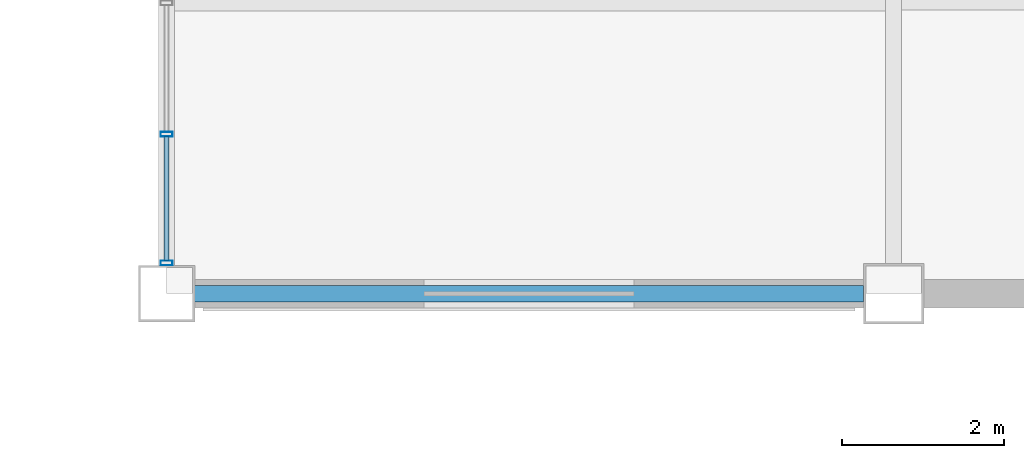
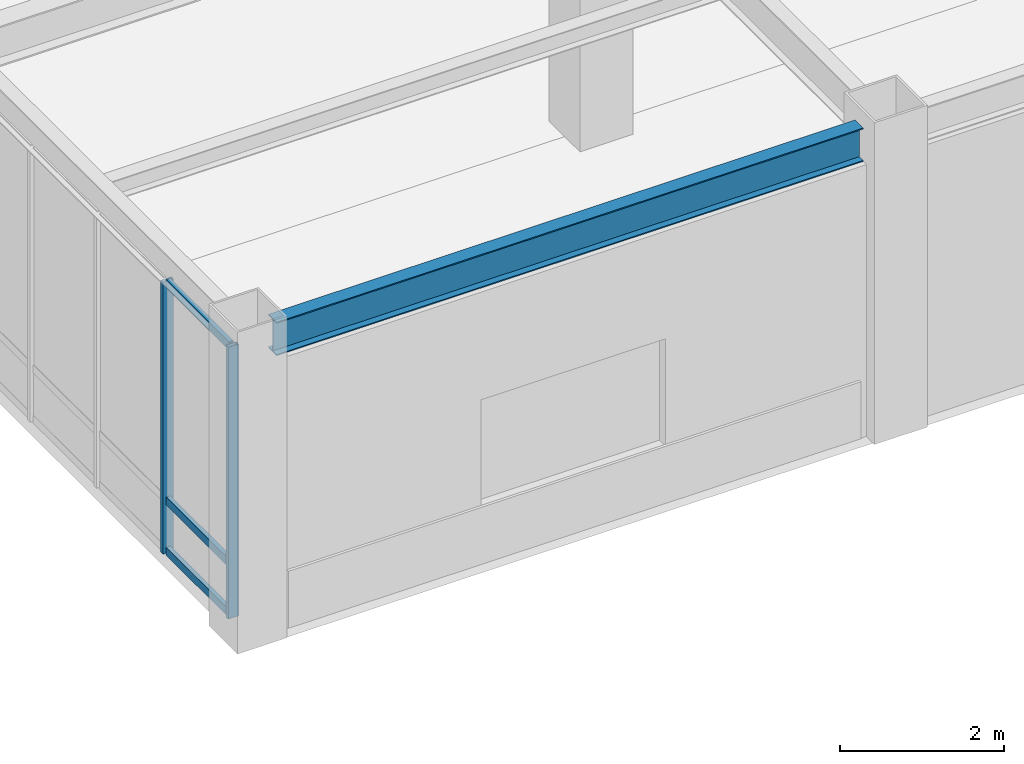
# One storey, part 42 of 112: 5 members, 1 beam, 1 element without a shape of its own.
"""IFC4 building model written with IfcOpenShell, lengths in metres."""

from ifc_helpers import new_model, si_unit, direction, frame, origin, origin_2d, place, context, subcontext, project, spatial, hollow_rectangle, i_section, extrude, material, material_profile, profile_set, type_object, element, aggregate, save


model = new_model("IFC4")

# Units and contexts
model_context = context("Model", 3, precision=1e-05, world=origin(), true_north=direction((0.0, 1.0)))
body_context = subcontext(model_context, "Body", "Model", "MODEL_VIEW")
ifc_project = project(units=[si_unit("LENGTHUNIT", "METRE"), si_unit("AREAUNIT", "SQUARE_METRE"), si_unit("VOLUMEUNIT", "CUBIC_METRE"), si_unit("PLANEANGLEUNIT", "RADIAN"), si_unit("MASSUNIT", "GRAM", prefix="KILO")], contexts=[model_context])

# Site, building, storey
site_placement = place(None, origin())
site = spatial("IfcSite", under=ifc_project, at=site_placement, CompositionType="ELEMENT")
building_placement = place(site_placement, origin())
building = spatial("IfcBuilding", under=site, at=building_placement, Name="Kazanami Central Library", CompositionType="ELEMENT")
storey_placement = place(building_placement, origin())
storey = spatial("IfcBuildingStorey", under=building, at=storey_placement, Name="L01", CompositionType="ELEMENT", Elevation=0.0)

# Beam
ifc_material_1 = material(Name="Steel SN490B (325 MPa)", Category="steel")
ifc_material_profile_1 = material_profile(ifc_material_1, i_section(OverallWidth=0.199951171875, OverallDepth=0.5, WebThickness=0.010009765625, FlangeThickness=0.01611328125, at=origin_2d()), Name="H-500x200x10x16")
ifc_profile_set_1 = profile_set([ifc_material_profile_1], Name="Steel SN490B (325 MPa)")
beam_type = type_object("IfcBeamType", Name="BM-SP-1", PredefinedType="SPANDREL", material=ifc_profile_set_1)
beam_placement = place(storey_placement, frame((117.347900390625, 43.199951171875, 4.304931640625), z_axis=(1.0, 0.0, 0.0), x_axis=(0.0, 1.0, 0.0)))
element("IfcBeam", 1, at=beam_placement, inside=storey, type_object=beam_type, Name="Girder SP-1 L01 G/14-15", PredefinedType="SPANDREL", context=body_context, shape_type="SweptSolid", body=[
    extrude(i_section(OverallWidth=0.199951171875, OverallDepth=0.5, WebThickness=0.010009765625, FlangeThickness=0.01611328125, at=origin_2d()), origin(), (0.0, 0.0, 1.0), 8.279052734375),
])

# Curtain wall, members
ifc_material_2 = material(Name="Acid-Etched Low-E Laminated Glass", Category="glass")
curtain_wall_type = type_object("IfcCurtainWallType", Name="CW-6500x4055-M180", PredefinedType="USERDEFINED", material=ifc_material_2)
curtain_wall_placement = place(storey_placement, origin())
curtain_wall = element("IfcCurtainWall", 2, at=curtain_wall_placement, inside=storey, type_object=curtain_wall_type, Name="Covered Link Bridge Curtain Wall CW-11 L01 W-14-06", ObjectType="UNITISED CURTAIN WALL", PredefinedType="USERDEFINED")
ifc_material_3 = material(Name="Anodised Aluminium A6063-T5", Category="aluminium")
ifc_material_profile_2 = material_profile(ifc_material_3, hollow_rectangle(XDim=0.06005859375, YDim=0.14990234375, WallThickness=0.00390625, at=origin_2d()), Name="ALU-MULL-60x150x4")
ifc_profile_set_2 = profile_set([ifc_material_profile_2], Name="Anodised Aluminium A6063-T5")
member_type_1 = type_object("IfcMemberType", Name="MEM-CW-M3", PredefinedType="MULLION", material=ifc_profile_set_2)
member_1_placement = place(storey_placement, frame((117.0, 43.580078125, 0.0), z_axis=(0.0, 0.0, 1.0), x_axis=(0.0, 1.0, 0.0)))
member_1 = element("IfcMember", 3, at=member_1_placement, type_object=member_type_1, Name="CW-11 mullion 1", PredefinedType="MULLION", context=body_context, shape_type="SweptSolid", body=[
    extrude(hollow_rectangle(XDim=0.06005859375, YDim=0.14990234375, WallThickness=0.00390625, at=origin_2d()), origin(), (0.0, 0.0, 1.0), 4.054931640625),
])
member_2_placement = place(storey_placement, frame((117.0, 45.175048828125, 0.0), z_axis=(0.0, 0.0, 1.0), x_axis=(0.0, 1.0, 0.0)))
member_2 = element("IfcMember", 4, at=member_2_placement, type_object=member_type_1, Name="CW-11 mullion 2", PredefinedType="MULLION", context=body_context, shape_type="SweptSolid", body=[
    extrude(hollow_rectangle(XDim=0.06005859375, YDim=0.14990234375, WallThickness=0.00390625, at=origin_2d()), origin(), (0.0, 0.0, 1.0), 4.054931640625),
])
ifc_material_profile_3 = material_profile(ifc_material_3, hollow_rectangle(XDim=0.06005859375, YDim=0.1201171875, WallThickness=0.00341796875, at=origin_2d()), Name="ALU-TRAN-60x120x3.5")
ifc_profile_set_3 = profile_set([ifc_material_profile_3], Name="Anodised Aluminium A6063-T5")
member_type_2 = type_object("IfcMemberType", Name="MEM-CW-T3", PredefinedType="USERDEFINED", material=ifc_profile_set_3)
member_3_placement = place(storey_placement, frame((117.0, 43.610107421875, 0.030029296875), z_axis=(0.0, 1.0, 0.0), x_axis=(-1.0, 0.0, 0.0)))
member_3 = element("IfcMember", 5, at=member_3_placement, type_object=member_type_2, Name="CW-11 transom 1.1", ObjectType="TRANSOM", PredefinedType="USERDEFINED", context=body_context, shape_type="SweptSolid", body=[
    extrude(hollow_rectangle(XDim=0.06005859375, YDim=0.1201171875, WallThickness=0.00341796875, at=origin_2d()), origin(), (0.0, 0.0, 1.0), 1.534912109375),
])
member_4_placement = place(storey_placement, frame((117.0, 43.610107421875, 0.780029296875), z_axis=(0.0, 1.0, 0.0), x_axis=(-1.0, 0.0, 0.0)))
member_4 = element("IfcMember", 6, at=member_4_placement, type_object=member_type_2, Name="CW-11 transom 1.2", ObjectType="TRANSOM", PredefinedType="USERDEFINED", context=body_context, shape_type="SweptSolid", body=[
    extrude(hollow_rectangle(XDim=0.06005859375, YDim=0.1201171875, WallThickness=0.00341796875, at=origin_2d()), origin(), (0.0, 0.0, 1.0), 1.534912109375),
])
member_5_placement = place(storey_placement, frame((117.0, 43.610107421875, 4.02490234375), z_axis=(0.0, 1.0, 0.0), x_axis=(-1.0, 0.0, 0.0)))
member_5 = element("IfcMember", 7, at=member_5_placement, type_object=member_type_2, Name="CW-11 transom 1.3", ObjectType="TRANSOM", PredefinedType="USERDEFINED", context=body_context, shape_type="SweptSolid", body=[
    extrude(hollow_rectangle(XDim=0.06005859375, YDim=0.1201171875, WallThickness=0.00341796875, at=origin_2d()), origin(), (0.0, 0.0, 1.0), 1.534912109375),
])
aggregate(curtain_wall, [member_1, member_2, member_3, member_4, member_5])

save(model, "model.ifc")
